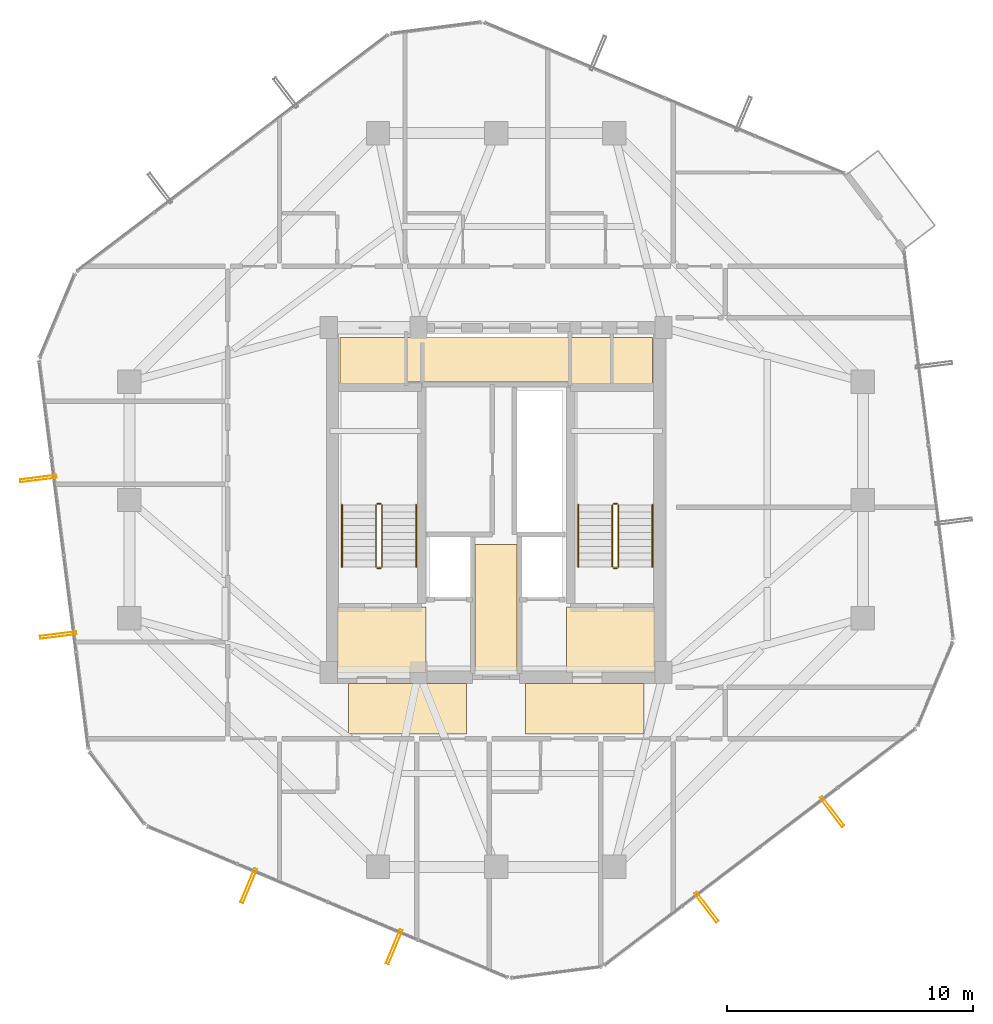
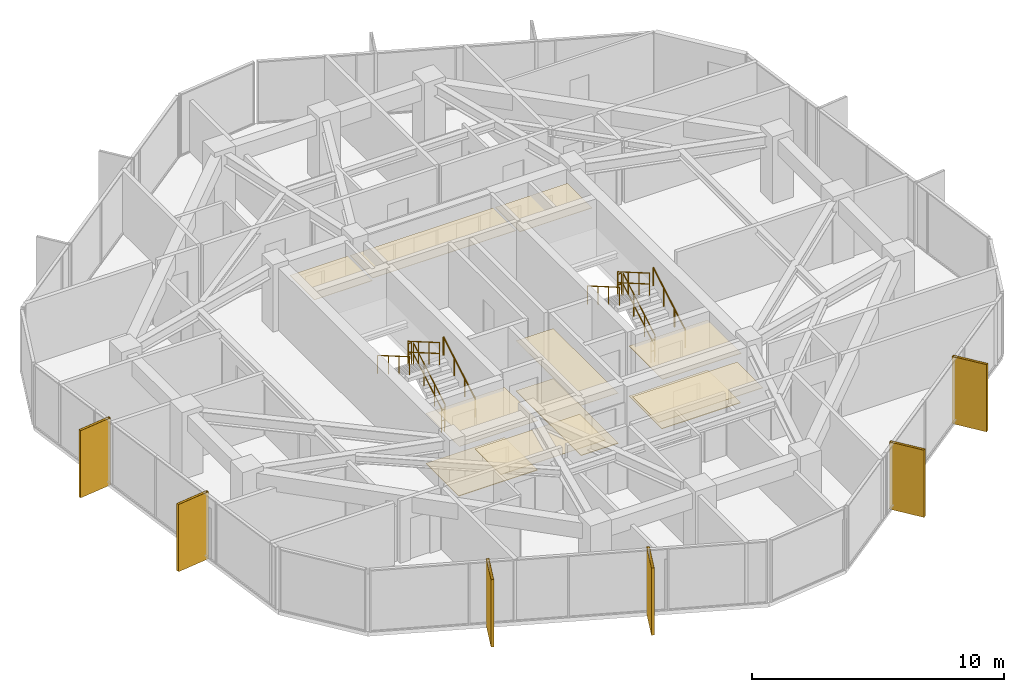
# One storey, part 31 of 32: 12 railings, 11 coverings, 6 shading devices.
"""IFC4 building model written with IfcOpenShell, lengths in metres."""

from ifc_helpers import new_model, si_unit, direction, frame, origin, origin_2d, place, context, subcontext, project, spatial, polyline, hollow_rectangle, circle, outline, extrude, material, layer, layer_set, material_profile, profile_set, type_object, element, save


model = new_model("IFC4")

# Units and contexts
model_context = context("Model", 3, precision=1e-05, world=origin(), true_north=direction((0.0, 1.0)))
body_context = subcontext(model_context, "Body", "Model", "MODEL_VIEW")
ifc_project = project(units=[si_unit("LENGTHUNIT", "METRE"), si_unit("AREAUNIT", "SQUARE_METRE"), si_unit("VOLUMEUNIT", "CUBIC_METRE"), si_unit("PLANEANGLEUNIT", "RADIAN"), si_unit("MASSUNIT", "GRAM", prefix="KILO")], contexts=[model_context])

# Site, building, storey
site_placement = place(None, origin())
site = spatial("IfcSite", under=ifc_project, at=site_placement, CompositionType="ELEMENT")
building_placement = place(site_placement, origin())
building = spatial("IfcBuilding", under=site, at=building_placement, Name="Veraguas Prism Commons", CompositionType="ELEMENT")
storey_placement = place(building_placement, frame((0.0, 0.0, 182.10009765625)))
storey = spatial("IfcBuildingStorey", under=building, at=storey_placement, Name="L51", CompositionType="ELEMENT", Elevation=182.10009765625)

# Shading devices
ifc_material_1 = material(Name="Anodised aluminium EN AW-6063 T6", Category="aluminium")
ifc_material_profile = material_profile(ifc_material_1, hollow_rectangle(XDim=0.1201171875, YDim=1.489990234375, WallThickness=0.006103515625, at=origin_2d()), Name="FIN120X1490X6")
ifc_profile_set = profile_set([ifc_material_profile], Name="Anodised aluminium EN AW-6063 T6")
shading_device_type = type_object("IfcShadingDeviceType", Name="Deep Pale-Metal Vertical Solar Fin 120x1490", PredefinedType="USERDEFINED", material=ifc_profile_set)
for number, where, z_axis, x_axis, name in (
    (1, (5.406982421875, 24.8681640625, -0.215087890625), (0.0, 0.0, 1.0), (0.126024098275, -0.992027180401, 0.0), "Vertical Pale-Metal Solar Fin L51-F3A"),
    (2, (6.21484375, 18.51025390625, -0.215087890625), (0.0, 0.0, 1.0), (0.126024098275, -0.992027180401, 0.0), "Vertical Pale-Metal Solar Fin L51-F3B"),
    (3, (13.95166015625, 8.332275390625, -0.215087890625), (0.0, 0.0, 1.0), (0.922134139047, -0.386870300752, 0.0), "Vertical Pale-Metal Solar Fin L51-F4A"),
    (4, (19.861572265625, 5.852783203125, -0.215087890625), (0.0, 0.0, 1.0), (0.922134139047, -0.386870300752, 0.0), "Vertical Pale-Metal Solar Fin L51-F4B"),
    (5, (32.54443359375, 7.464111328125, -0.215087890625), (0.0, 0.0, 1.0), (0.796106577945, 0.605156439735, 0.0), "Vertical Pale-Metal Solar Fin L51-F5A"),
    (6, (37.646728515625, 11.34228515625, -0.215087890625), (0.0, 0.0, 1.0), (0.796106577945, 0.605156439735, 0.0), "Vertical Pale-Metal Solar Fin L51-F5B"),
):
    element("IfcShadingDevice", number, at=place(storey_placement, frame(where, z_axis=z_axis, x_axis=x_axis)), inside=storey, type_object=shading_device_type, Name=name, ObjectType="FIN", PredefinedType="USERDEFINED", context=body_context, shape_type="SweptSolid", body=[
        extrude(hollow_rectangle(XDim=0.1201171875, YDim=1.489990234375, WallThickness=0.006103515625, at=origin_2d()), origin(), (0.0, 0.0, 1.0), 3.25),
    ])

# Coverings
ifc_material_2 = material(Name="Acoustic gypsum board")
ifc_layer_1 = layer(ifc_material_2, 0.02490234375, Name="Perforated Acoustic Ceiling Tile 25")
ifc_layer_set_1 = layer_set([ifc_layer_1], Name="Acoustic gypsum board")
covering_type_1 = type_object("IfcCoveringType", Name="Perforated Acoustic Ceiling Tile 25", PredefinedType="USERDEFINED", material=ifc_layer_set_1)
covering_1_placement = place(storey_placement, frame((0.0, 0.0, 2.4248046875)))
element("IfcCovering", 7, at=covering_1_placement, inside=storey, type_object=covering_type_1, Name="East Lobby Acoustic Ceiling L51", ObjectType="ACOUSTIC CEILING", PredefinedType="USERDEFINED", context=body_context, shape_type="SweptSolid", body=[
    extrude(outline(polyline([(26.85009765625, 17.0), (30.449951171875, 17.0), (30.449951171875, 19.64990234375), (26.85009765625, 19.64990234375), (26.85009765625, 17.0)])), origin(), (0.0, 0.0, 1.0), 0.025146484375),
])
ifc_material_3 = material(Name="Terrazzo stone finish", Category="masonry")
ifc_layer_2 = layer(ifc_material_3, 0.030029296875, Name="Polished Terrazzo Floor Finish 30", Category="masonry")
ifc_layer_set_2 = layer_set([ifc_layer_2], Name="Terrazzo stone finish")
covering_type_2 = type_object("IfcCoveringType", Name="Polished Terrazzo Floor Finish 30", PredefinedType="FLOORING", material=ifc_layer_set_2)
covering_2_placement = place(storey_placement, origin())
element("IfcCovering", 8, at=covering_2_placement, inside=storey, type_object=covering_type_2, Name="Terrazzo Lobby Flooring L51", PredefinedType="FLOORING", context=body_context, shape_type="SweptSolid", body=[
    extrude(outline(polyline([(23.14990234375, 17.050048828125), (24.85009765625, 17.050048828125), (24.85009765625, 22.199951171875), (23.14990234375, 22.199951171875), (23.14990234375, 17.050048828125)])), origin(), (0.0, 0.0, 1.0), 0.02978515625),
])
covering_3_placement = place(storey_placement, origin())
element("IfcCovering", 9, at=covering_3_placement, inside=storey, type_object=covering_type_2, Name="West FF Lobby Terrazzo Flooring L51", PredefinedType="FLOORING", context=body_context, shape_type="SweptSolid", body=[
    extrude(outline(polyline([(17.550048828125, 17.050048828125), (21.14990234375, 17.050048828125), (21.14990234375, 19.64990234375), (17.550048828125, 19.64990234375), (17.550048828125, 17.050048828125)])), origin(), (0.0, 0.0, 1.0), 0.02978515625),
])
covering_4_placement = place(storey_placement, origin())
element("IfcCovering", 10, at=covering_4_placement, inside=storey, type_object=covering_type_2, Name="East FF Lobby Terrazzo Flooring L51", PredefinedType="FLOORING", context=body_context, shape_type="SweptSolid", body=[
    extrude(outline(polyline([(26.85009765625, 17.050048828125), (30.449951171875, 17.050048828125), (30.449951171875, 19.64990234375), (26.85009765625, 19.64990234375), (26.85009765625, 17.050048828125)])), origin(), (0.0, 0.0, 1.0), 0.02978515625),
])

# Railings
ifc_material_4 = material(Name="Stainless steel AISI 316", Category="steel")
railing_type_1 = type_object("IfcRailingType", Name="Stair and Ramp Stainless Handrail 900", PredefinedType="HANDRAIL", material=ifc_material_4)
railing_1_placement = place(storey_placement, frame((20.75, 21.280029296875, 0.162353515625)))
element("IfcRailing", 11, at=railing_1_placement, inside=storey, type_object=railing_type_1, Name="Stair Handrail ST-01 L51-1", PredefinedType="HANDRAIL", context=body_context, shape_type="SweptSolid", body=[
    extrude(circle(Radius=0.02392578125, at=origin_2d()), frame((0.0, 0.0, 0.8759765625), z_axis=(0.0, 0.864876961378, 0.501983905795), x_axis=(-1.0, 0.0, 0.0)), (0.0, 0.0, 1.0), 2.913818359375),
    extrude(circle(Radius=0.02099609375, at=origin_2d()), origin(), (0.0, 0.0, 1.0), 0.851806640625),
    extrude(circle(Radius=0.02099609375, at=origin_2d()), frame((0.0, 0.840087890625, 0.487548828125)), (0.0, 0.0, 1.0), 0.851806640625),
    extrude(circle(Radius=0.02099609375, at=origin_2d()), frame((0.0, 1.679931640625, 0.97509765625)), (0.0, 0.0, 1.0), 0.851806640625),
    extrude(circle(Radius=0.02099609375, at=origin_2d()), frame((0.0, 2.52001953125, 1.462646484375)), (0.0, 0.0, 1.0), 0.851806640625),
])
railing_2_placement = place(storey_placement, frame((17.739990234375, 23.800048828125, 1.787353515625)))
element("IfcRailing", 12, at=railing_2_placement, inside=storey, type_object=railing_type_1, Name="Stair Handrail ST-01 L51-2", PredefinedType="HANDRAIL", context=body_context, shape_type="SweptSolid", body=[
    extrude(circle(Radius=0.02392578125, at=origin_2d()), frame((0.0, 0.0, 0.8759765625), z_axis=(0.0, -0.864876961378, 0.501983905795), x_axis=(1.0, 0.0, 0.0)), (0.0, 0.0, 1.0), 2.913818359375),
    extrude(circle(Radius=0.02099609375, at=origin_2d()), origin(), (0.0, 0.0, 1.0), 0.851806640625),
    extrude(circle(Radius=0.02099609375, at=origin_2d()), frame((0.0, -0.840087890625, 0.487548828125)), (0.0, 0.0, 1.0), 0.851806640625),
    extrude(circle(Radius=0.02099609375, at=origin_2d()), frame((0.0, -1.679931640625, 0.97509765625)), (0.0, 0.0, 1.0), 0.851806640625),
    extrude(circle(Radius=0.02099609375, at=origin_2d()), frame((0.0, -2.52001953125, 1.462646484375)), (0.0, 0.0, 1.0), 0.851806640625),
])
railing_3_placement = place(storey_placement, frame((30.35009765625, 21.280029296875, 0.162353515625)))
element("IfcRailing", 13, at=railing_3_placement, inside=storey, type_object=railing_type_1, Name="Stair Handrail ST-02 L51-1", PredefinedType="HANDRAIL", context=body_context, shape_type="SweptSolid", body=[
    extrude(circle(Radius=0.02392578125, at=origin_2d()), frame((0.0, 0.0, 0.8759765625), z_axis=(0.0, 0.864876961378, 0.501983905795), x_axis=(-1.0, 0.0, 0.0)), (0.0, 0.0, 1.0), 2.913818359375),
    extrude(circle(Radius=0.02099609375, at=origin_2d()), origin(), (0.0, 0.0, 1.0), 0.851806640625),
    extrude(circle(Radius=0.02099609375, at=origin_2d()), frame((0.0, 0.840087890625, 0.487548828125)), (0.0, 0.0, 1.0), 0.851806640625),
    extrude(circle(Radius=0.02099609375, at=origin_2d()), frame((0.0, 1.679931640625, 0.97509765625)), (0.0, 0.0, 1.0), 0.851806640625),
    extrude(circle(Radius=0.02099609375, at=origin_2d()), frame((0.0, 2.52001953125, 1.462646484375)), (0.0, 0.0, 1.0), 0.851806640625),
])
railing_4_placement = place(storey_placement, frame((27.340087890625, 23.800048828125, 1.787353515625)))
element("IfcRailing", 14, at=railing_4_placement, inside=storey, type_object=railing_type_1, Name="Stair Handrail ST-02 L51-2", PredefinedType="HANDRAIL", context=body_context, shape_type="SweptSolid", body=[
    extrude(circle(Radius=0.02392578125, at=origin_2d()), frame((0.0, 0.0, 0.8759765625), z_axis=(0.0, -0.864876961378, 0.501983905795), x_axis=(1.0, 0.0, 0.0)), (0.0, 0.0, 1.0), 2.913818359375),
    extrude(circle(Radius=0.02099609375, at=origin_2d()), origin(), (0.0, 0.0, 1.0), 0.851806640625),
    extrude(circle(Radius=0.02099609375, at=origin_2d()), frame((0.0, -0.840087890625, 0.487548828125)), (0.0, 0.0, 1.0), 0.851806640625),
    extrude(circle(Radius=0.02099609375, at=origin_2d()), frame((0.0, -1.679931640625, 0.97509765625)), (0.0, 0.0, 1.0), 0.851806640625),
    extrude(circle(Radius=0.02099609375, at=origin_2d()), frame((0.0, -2.52001953125, 1.462646484375)), (0.0, 0.0, 1.0), 0.851806640625),
])
railing_type_2 = type_object("IfcRailingType", Name="Stairwell Safety Guardrail 1100", PredefinedType="GUARDRAIL", material=ifc_material_4)
railing_5_placement = place(storey_placement, frame((19.3701171875, 21.280029296875, 0.162353515625)))
element("IfcRailing", 15, at=railing_5_placement, inside=storey, type_object=railing_type_2, Name="Stair Guard ST-01 L51-1", PredefinedType="GUARDRAIL", context=body_context, shape_type="SweptSolid", body=[
    extrude(circle(Radius=0.02392578125, at=origin_2d()), frame((0.0, 0.0, 1.076171875), z_axis=(0.0, 0.864876961378, 0.501983905795), x_axis=(-1.0, 0.0, 0.0)), (0.0, 0.0, 1.0), 2.913818359375),
    extrude(circle(Radius=0.02392578125, at=origin_2d()), frame((0.0, 0.0, 0.550048828125), z_axis=(0.0, 0.864876961378, 0.501983905795), x_axis=(-1.0, 0.0, 0.0)), (0.0, 0.0, 1.0), 2.913818359375),
    extrude(circle(Radius=0.02099609375, at=origin_2d()), origin(), (0.0, 0.0, 1.0), 1.052001953125),
    extrude(circle(Radius=0.02099609375, at=origin_2d()), frame((0.0, 0.840087890625, 0.487548828125)), (0.0, 0.0, 1.0), 1.052001953125),
    extrude(circle(Radius=0.02099609375, at=origin_2d()), frame((0.0, 1.679931640625, 0.97509765625)), (0.0, 0.0, 1.0), 1.052001953125),
    extrude(circle(Radius=0.02099609375, at=origin_2d()), frame((0.0, 2.52001953125, 1.462646484375)), (0.0, 0.0, 1.0), 1.052001953125),
])
railing_6_placement = place(storey_placement, frame((19.320068359375, 23.85009765625, 1.625)))
element("IfcRailing", 16, at=railing_6_placement, inside=storey, type_object=railing_type_2, Name="Stair Guard ST-01 L51-2", PredefinedType="GUARDRAIL", context=body_context, shape_type="SweptSolid", body=[
    extrude(circle(Radius=0.02392578125, at=origin_2d()), frame((0.0, 0.0, 1.076171875), z_axis=(-1.0, 0.0, 0.0), x_axis=(0.0, -1.0, 0.0)), (0.0, 0.0, 1.0), 0.150146484375),
    extrude(circle(Radius=0.02392578125, at=origin_2d()), frame((0.0, 0.0, 0.550048828125), z_axis=(-1.0, 0.0, 0.0), x_axis=(0.0, -1.0, 0.0)), (0.0, 0.0, 1.0), 0.150146484375),
    extrude(circle(Radius=0.02099609375, at=origin_2d()), origin(), (0.0, 0.0, 1.0), 1.052001953125),
    extrude(circle(Radius=0.02099609375, at=origin_2d()), frame((-0.150146484375, 0.0, 0.0)), (0.0, 0.0, 1.0), 1.052001953125),
])
railing_7_placement = place(storey_placement, frame((19.1201171875, 23.800048828125, 1.787353515625)))
element("IfcRailing", 17, at=railing_7_placement, inside=storey, type_object=railing_type_2, Name="Stair Guard ST-01 L51-3", PredefinedType="GUARDRAIL", context=body_context, shape_type="SweptSolid", body=[
    extrude(circle(Radius=0.02392578125, at=origin_2d()), frame((0.0, 0.0, 1.076171875), z_axis=(0.0, -0.864876961378, 0.501983905795), x_axis=(1.0, 0.0, 0.0)), (0.0, 0.0, 1.0), 2.913818359375),
    extrude(circle(Radius=0.02392578125, at=origin_2d()), frame((0.0, 0.0, 0.550048828125), z_axis=(0.0, -0.864876961378, 0.501983905795), x_axis=(1.0, 0.0, 0.0)), (0.0, 0.0, 1.0), 2.913818359375),
    extrude(circle(Radius=0.02099609375, at=origin_2d()), origin(), (0.0, 0.0, 1.0), 1.052001953125),
    extrude(circle(Radius=0.02099609375, at=origin_2d()), frame((0.0, -0.840087890625, 0.487548828125)), (0.0, 0.0, 1.0), 1.052001953125),
    extrude(circle(Radius=0.02099609375, at=origin_2d()), frame((0.0, -1.679931640625, 0.97509765625)), (0.0, 0.0, 1.0), 1.052001953125),
    extrude(circle(Radius=0.02099609375, at=origin_2d()), frame((0.0, -2.52001953125, 1.462646484375)), (0.0, 0.0, 1.0), 1.052001953125),
])
railing_8_placement = place(storey_placement, frame((19.320068359375, 21.22998046875, 0.0)))
element("IfcRailing", 18, at=railing_8_placement, inside=storey, type_object=railing_type_2, Name="Stair Guard ST-01 L51-4", PredefinedType="GUARDRAIL", context=body_context, shape_type="SweptSolid", body=[
    extrude(circle(Radius=0.02392578125, at=origin_2d()), frame((0.0, 0.0, 1.076171875), z_axis=(-1.0, 0.0, 0.0), x_axis=(0.0, -1.0, 0.0)), (0.0, 0.0, 1.0), 0.150146484375),
    extrude(circle(Radius=0.02392578125, at=origin_2d()), frame((0.0, 0.0, 0.550048828125), z_axis=(-1.0, 0.0, 0.0), x_axis=(0.0, -1.0, 0.0)), (0.0, 0.0, 1.0), 0.150146484375),
    extrude(circle(Radius=0.02099609375, at=origin_2d()), origin(), (0.0, 0.0, 1.0), 1.052001953125),
    extrude(circle(Radius=0.02099609375, at=origin_2d()), frame((-0.150146484375, 0.0, 0.0)), (0.0, 0.0, 1.0), 1.052001953125),
])
railing_9_placement = place(storey_placement, frame((28.969970703125, 21.280029296875, 0.162353515625)))
element("IfcRailing", 19, at=railing_9_placement, inside=storey, type_object=railing_type_2, Name="Stair Guard ST-02 L51-1", PredefinedType="GUARDRAIL", context=body_context, shape_type="SweptSolid", body=[
    extrude(circle(Radius=0.02392578125, at=origin_2d()), frame((0.0, 0.0, 1.076171875), z_axis=(0.0, 0.864876961378, 0.501983905795), x_axis=(-1.0, 0.0, 0.0)), (0.0, 0.0, 1.0), 2.913818359375),
    extrude(circle(Radius=0.02392578125, at=origin_2d()), frame((0.0, 0.0, 0.550048828125), z_axis=(0.0, 0.864876961378, 0.501983905795), x_axis=(-1.0, 0.0, 0.0)), (0.0, 0.0, 1.0), 2.913818359375),
    extrude(circle(Radius=0.02099609375, at=origin_2d()), origin(), (0.0, 0.0, 1.0), 1.052001953125),
    extrude(circle(Radius=0.02099609375, at=origin_2d()), frame((0.0, 0.840087890625, 0.487548828125)), (0.0, 0.0, 1.0), 1.052001953125),
    extrude(circle(Radius=0.02099609375, at=origin_2d()), frame((0.0, 1.679931640625, 0.97509765625)), (0.0, 0.0, 1.0), 1.052001953125),
    extrude(circle(Radius=0.02099609375, at=origin_2d()), frame((0.0, 2.52001953125, 1.462646484375)), (0.0, 0.0, 1.0), 1.052001953125),
])
railing_10_placement = place(storey_placement, frame((28.919921875, 23.85009765625, 1.625)))
element("IfcRailing", 20, at=railing_10_placement, inside=storey, type_object=railing_type_2, Name="Stair Guard ST-02 L51-2", PredefinedType="GUARDRAIL", context=body_context, shape_type="SweptSolid", body=[
    extrude(circle(Radius=0.02392578125, at=origin_2d()), frame((0.0, 0.0, 1.076171875), z_axis=(-1.0, 0.0, 0.0), x_axis=(0.0, -1.0, 0.0)), (0.0, 0.0, 1.0), 0.14990234375),
    extrude(circle(Radius=0.02392578125, at=origin_2d()), frame((0.0, 0.0, 0.550048828125), z_axis=(-1.0, 0.0, 0.0), x_axis=(0.0, -1.0, 0.0)), (0.0, 0.0, 1.0), 0.14990234375),
    extrude(circle(Radius=0.02099609375, at=origin_2d()), origin(), (0.0, 0.0, 1.0), 1.052001953125),
    extrude(circle(Radius=0.02099609375, at=origin_2d()), frame((-0.14990234375, 0.0, 0.0)), (0.0, 0.0, 1.0), 1.052001953125),
])
railing_11_placement = place(storey_placement, frame((28.719970703125, 23.800048828125, 1.787353515625)))
element("IfcRailing", 21, at=railing_11_placement, inside=storey, type_object=railing_type_2, Name="Stair Guard ST-02 L51-3", PredefinedType="GUARDRAIL", context=body_context, shape_type="SweptSolid", body=[
    extrude(circle(Radius=0.02392578125, at=origin_2d()), frame((0.0, 0.0, 1.076171875), z_axis=(0.0, -0.864876961378, 0.501983905795), x_axis=(1.0, 0.0, 0.0)), (0.0, 0.0, 1.0), 2.913818359375),
    extrude(circle(Radius=0.02392578125, at=origin_2d()), frame((0.0, 0.0, 0.550048828125), z_axis=(0.0, -0.864876961378, 0.501983905795), x_axis=(1.0, 0.0, 0.0)), (0.0, 0.0, 1.0), 2.913818359375),
    extrude(circle(Radius=0.02099609375, at=origin_2d()), origin(), (0.0, 0.0, 1.0), 1.052001953125),
    extrude(circle(Radius=0.02099609375, at=origin_2d()), frame((0.0, -0.840087890625, 0.487548828125)), (0.0, 0.0, 1.0), 1.052001953125),
    extrude(circle(Radius=0.02099609375, at=origin_2d()), frame((0.0, -1.679931640625, 0.97509765625)), (0.0, 0.0, 1.0), 1.052001953125),
    extrude(circle(Radius=0.02099609375, at=origin_2d()), frame((0.0, -2.52001953125, 1.462646484375)), (0.0, 0.0, 1.0), 1.052001953125),
])
railing_12_placement = place(storey_placement, frame((28.919921875, 21.22998046875, 0.0)))
element("IfcRailing", 22, at=railing_12_placement, inside=storey, type_object=railing_type_2, Name="Stair Guard ST-02 L51-4", PredefinedType="GUARDRAIL", context=body_context, shape_type="SweptSolid", body=[
    extrude(circle(Radius=0.02392578125, at=origin_2d()), frame((0.0, 0.0, 1.076171875), z_axis=(-1.0, 0.0, 0.0), x_axis=(0.0, -1.0, 0.0)), (0.0, 0.0, 1.0), 0.14990234375),
    extrude(circle(Radius=0.02392578125, at=origin_2d()), frame((0.0, 0.0, 0.550048828125), z_axis=(-1.0, 0.0, 0.0), x_axis=(0.0, -1.0, 0.0)), (0.0, 0.0, 1.0), 0.14990234375),
    extrude(circle(Radius=0.02099609375, at=origin_2d()), origin(), (0.0, 0.0, 1.0), 1.052001953125),
    extrude(circle(Radius=0.02099609375, at=origin_2d()), frame((-0.14990234375, 0.0, 0.0)), (0.0, 0.0, 1.0), 1.052001953125),
])

# Coverings
ifc_layer_3 = layer(ifc_material_2, 0.02001953125, Name="Suspended Gypsum Ceiling 20")
ifc_layer_set_3 = layer_set([ifc_layer_3], Name="Acoustic gypsum board")
covering_type_3 = type_object("IfcCoveringType", Name="Suspended Gypsum Ceiling 20", PredefinedType="CEILING", material=ifc_layer_set_3)
covering_5_placement = place(storey_placement, frame((0.0, 0.0, 2.429931640625)))
element("IfcCovering", 23, at=covering_5_placement, inside=storey, type_object=covering_type_3, Name="West Lobby Suspended Gypsum Ceiling L51", PredefinedType="CEILING", context=body_context, shape_type="SweptSolid", body=[
    extrude(outline(polyline([(17.550048828125, 17.0), (21.14990234375, 17.0), (21.14990234375, 19.64990234375), (17.550048828125, 19.64990234375), (17.550048828125, 17.0)])), origin(), (0.0, 0.0, 1.0), 0.02001953125),
])
covering_6_placement = place(storey_placement, frame((0.0, 0.0, 2.429931640625)))
element("IfcCovering", 24, at=covering_6_placement, inside=storey, type_object=covering_type_3, Name="Core Lobby Acoustic Ceiling L51-1", PredefinedType="CEILING", context=body_context, shape_type="SweptSolid", body=[
    extrude(outline(polyline([(18.0, 14.5), (22.800048828125, 14.5), (22.800048828125, 16.550048828125), (18.0, 16.550048828125), (18.0, 14.5)])), origin(), (0.0, 0.0, 1.0), 0.02001953125),
])
covering_7_placement = place(storey_placement, frame((0.0, 0.0, 2.429931640625)))
element("IfcCovering", 25, at=covering_7_placement, inside=storey, type_object=covering_type_3, Name="Core Lobby Acoustic Ceiling L51-2", PredefinedType="CEILING", context=body_context, shape_type="SweptSolid", body=[
    extrude(outline(polyline([(25.199951171875, 14.5), (30.0, 14.5), (30.0, 16.550048828125), (25.199951171875, 16.550048828125), (25.199951171875, 14.5)])), origin(), (0.0, 0.0, 1.0), 0.02001953125),
])
covering_8_placement = place(storey_placement, frame((0.0, 0.0, 2.429931640625)))
element("IfcCovering", 26, at=covering_8_placement, inside=storey, type_object=covering_type_3, Name="Core Lobby Acoustic Ceiling L51-3", PredefinedType="CEILING", context=body_context, shape_type="SweptSolid", body=[
    extrude(outline(polyline([(23.14990234375, 17.050048828125), (24.85009765625, 17.050048828125), (24.85009765625, 22.199951171875), (23.14990234375, 22.199951171875), (23.14990234375, 17.050048828125)])), origin(), (0.0, 0.0, 1.0), 0.02001953125),
])
covering_9_placement = place(storey_placement, frame((0.0, 0.0, 2.429931640625)))
element("IfcCovering", 27, at=covering_9_placement, inside=storey, type_object=covering_type_3, Name="Core Lobby Acoustic Ceiling L51-4", PredefinedType="CEILING", context=body_context, shape_type="SweptSolid", body=[
    extrude(outline(polyline([(17.64990234375, 28.64990234375), (20.300048828125, 28.64990234375), (20.300048828125, 30.60009765625), (17.64990234375, 30.60009765625), (17.64990234375, 28.64990234375)])), origin(), (0.0, 0.0, 1.0), 0.02001953125),
])
covering_10_placement = place(storey_placement, frame((0.0, 0.0, 2.429931640625)))
element("IfcCovering", 28, at=covering_10_placement, inside=storey, type_object=covering_type_3, Name="Core Lobby Acoustic Ceiling L51-5", PredefinedType="CEILING", context=body_context, shape_type="SweptSolid", body=[
    extrude(outline(polyline([(27.050048828125, 28.64990234375), (30.35009765625, 28.64990234375), (30.35009765625, 30.60009765625), (27.050048828125, 30.60009765625), (27.050048828125, 28.64990234375)])), origin(), (0.0, 0.0, 1.0), 0.02001953125),
])
covering_11_placement = place(storey_placement, frame((0.0, 0.0, 2.429931640625)))
element("IfcCovering", 29, at=covering_11_placement, inside=storey, type_object=covering_type_3, Name="Core Lobby Acoustic Ceiling L51-6", PredefinedType="CEILING", context=body_context, shape_type="SweptSolid", body=[
    extrude(outline(polyline([(20.39990234375, 28.800048828125), (26.949951171875, 28.800048828125), (26.949951171875, 30.60009765625), (20.39990234375, 30.60009765625), (20.39990234375, 28.800048828125)])), origin(), (0.0, 0.0, 1.0), 0.02001953125),
])

save(model, "model.ifc")
